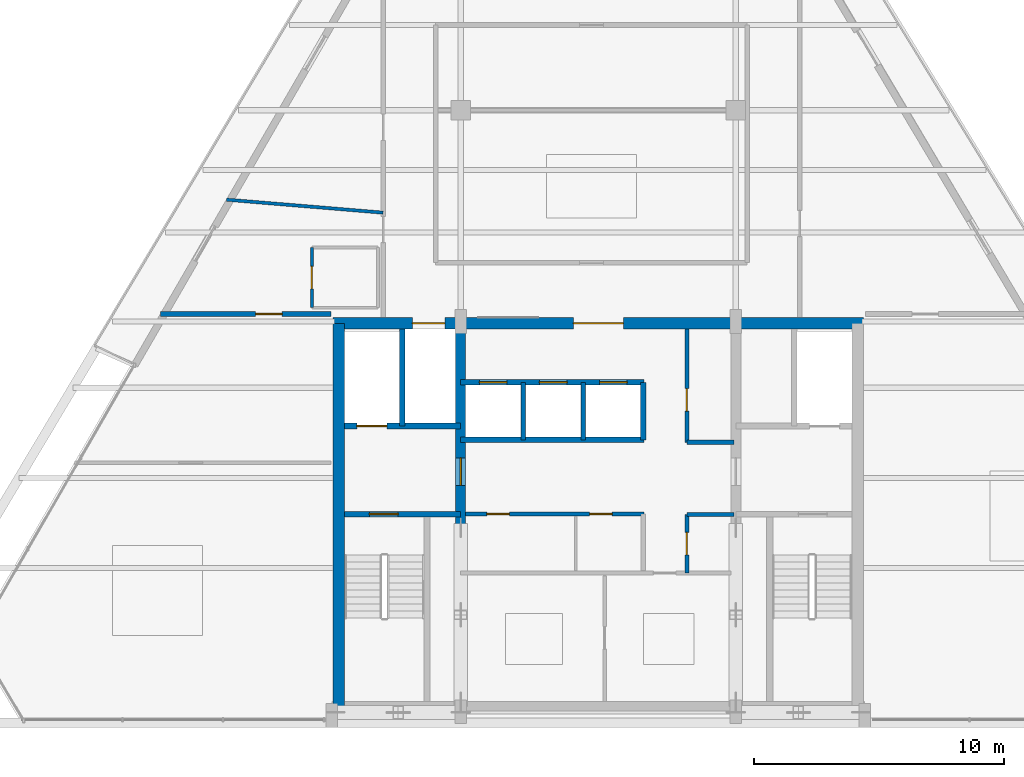
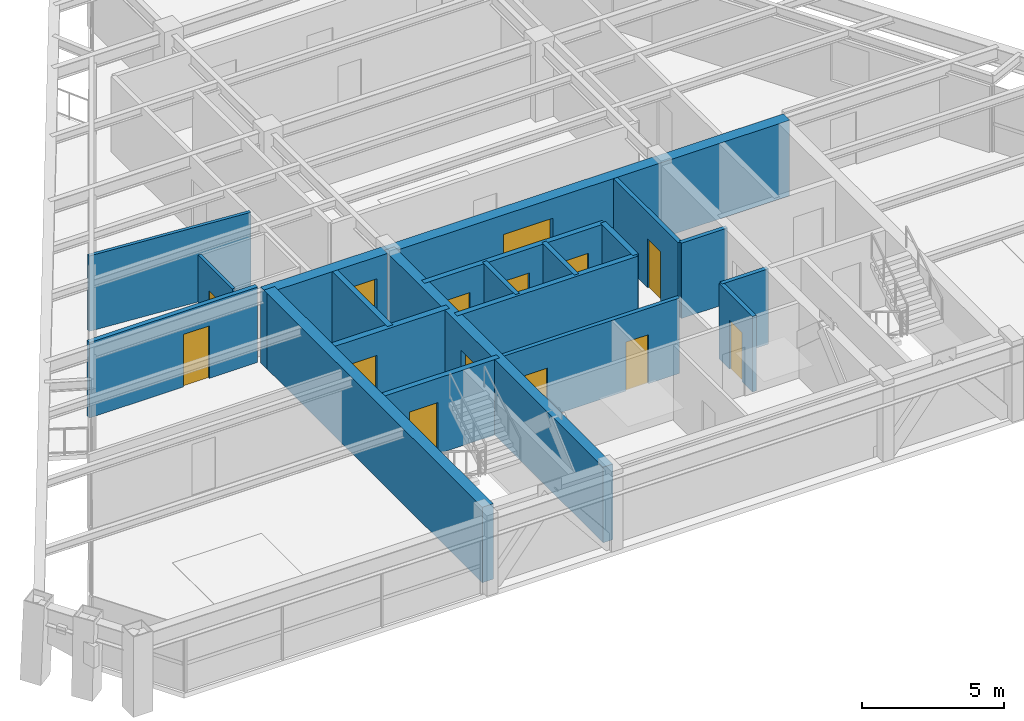
# One storey, part 9 of 13: 19 walls, 14 doors, 14 openings.
"""IFC4 building model written with IfcOpenShell, lengths in metres."""

import ifcopenshell
import ifcopenshell.guid

model = None  # the IFC model being written
_history = None  # IfcOwnerHistory: only IFC2X3 demands one
_inside = {}  # id of a spatial element -> (the spatial element, [elements in it])
_under = {}  # id of a project, library or spatial element -> (it, [spatial elements below it])
_declared = {}  # id of a project -> (the project, [libraries it declares])
_typed = {}  # id of a type object -> (the type object, [elements of that type])
_made_of = {}  # id of a material, layer set ... -> (it, [elements and type objects made of it])


def new_model(schema):
    """Start an empty IFC model of exactly this schema.

    Asked for "IFC4X3", IfcOpenShell would pick the latest addendum, in which some entities
    have other attributes; the version numbers below select the first issue.
    IFC2X3 requires an IfcOwnerHistory on every rooted entity: one is made here for all.
    """
    global model, _history
    if schema == "IFC4X3":
        model = ifcopenshell.file(schema_version=(4, 3, 0, 0))
    else:
        model = ifcopenshell.file(schema=schema)
    _inside.clear()
    _under.clear()
    _declared.clear()
    _typed.clear()
    _made_of.clear()
    _history = None
    if model.schema == "IFC2X3":
        org = make("IfcOrganization", Name="unknown")
        user = make(
            "IfcPersonAndOrganization",
            ThePerson=make("IfcPerson", FamilyName="unknown"),
            TheOrganization=org,
        )
        app = make(
            "IfcApplication",
            ApplicationDeveloper=org,
            Version="unknown",
            ApplicationFullName="unknown",
            ApplicationIdentifier="unknown",
        )
        _history = make(
            "IfcOwnerHistory",
            OwningUser=user,
            OwningApplication=app,
            ChangeAction="ADDED",
            CreationDate=0,
        )
    return model


def make(cls, **values):
    """One entity of the class cls with the attributes given. An attribute that is None is left unset."""
    return model.create_entity(
        cls, **{name: value for name, value in values.items() if value is not None}
    )


def rooted(cls, **values):
    """An entity with a GlobalId (a new one), such as an element, a storey or a relation."""
    return make(cls, GlobalId=ifcopenshell.guid.new(), OwnerHistory=_history, **values)


def si_unit(unit_type, name, prefix=None):
    """IfcSIUnit, for example si_unit("LENGTHUNIT", "METRE", prefix="MILLI")."""
    return make("IfcSIUnit", UnitType=unit_type, Prefix=prefix, Name=name)


def assignment(units):
    """IfcUnitAssignment: the units of a project."""
    return None if units is None else make("IfcUnitAssignment", Units=units)


def point(xyz):
    """IfcCartesianPoint."""
    return None if xyz is None else make("IfcCartesianPoint", Coordinates=xyz)


def direction(xyz):
    """IfcDirection."""
    return None if xyz is None else make("IfcDirection", DirectionRatios=xyz)


def frame(location, z_axis=None, x_axis=None):
    """IfcAxis2Placement3D, a coordinate frame: its origin and axes. An axis left out is left unset."""
    return make(
        "IfcAxis2Placement3D",
        Location=point(location),
        Axis=direction(z_axis),
        RefDirection=direction(x_axis),
    )


def frame_2d(location, x_axis=None):
    """IfcAxis2Placement2D, a coordinate frame in the plane: its origin and x axis."""
    return make(
        "IfcAxis2Placement2D", Location=point(location), RefDirection=direction(x_axis)
    )


def origin():
    """The frame at (0, 0, 0) with its axes left unset."""
    return frame((0.0, 0.0, 0.0))


def place(relative_to, where):
    """IfcLocalPlacement: puts the frame where relative to a parent placement (None: the world)."""
    return make(
        "IfcLocalPlacement", PlacementRelTo=relative_to, RelativePlacement=where
    )


def context(
    kind, dimensions, precision=None, world=None, true_north=None, identifier=None
):
    """IfcGeometricRepresentationContext, for example the 3D "Model" context."""
    return make(
        "IfcGeometricRepresentationContext",
        ContextIdentifier=identifier,
        ContextType=kind,
        CoordinateSpaceDimension=dimensions,
        Precision=precision,
        WorldCoordinateSystem=world,
        TrueNorth=true_north,
    )


def subcontext(parent, identifier, kind, view, scale=None):
    """IfcGeometricRepresentationSubContext, for example "Body" below "Model"."""
    return make(
        "IfcGeometricRepresentationSubContext",
        ContextIdentifier=identifier,
        ContextType=kind,
        ParentContext=parent,
        TargetScale=scale,
        TargetView=view,
    )


def project(units=None, contexts=None):
    """IfcProject with its units and contexts."""
    return rooted(
        "IfcProject",
        Name="project",
        RepresentationContexts=contexts,
        UnitsInContext=assignment(units),
    )


def spatial(cls, under=None, at=None, **own):
    """A site, building, storey or space (cls), placed at a placement, below another one or the project."""
    s = rooted(cls, ObjectPlacement=at, **own)
    if under is not None:
        _under.setdefault(under.id(), (under, []))[1].append(s)
    return s


def profile(cls, at=None, kind="AREA", **sizes):
    """A parametric profile (cls). Its sizes go by their IFC names, for example OverallWidth=200.0."""
    return make(cls, ProfileType=kind, Position=at, **sizes)


def rectangle(**sizes):
    """IfcRectangleProfileDef."""
    return profile("IfcRectangleProfileDef", **sizes)


def extrude(swept, where, along, depth):
    """IfcExtrudedAreaSolid: the profile swept, set in the frame where, extruded along a direction by depth."""
    return make(
        "IfcExtrudedAreaSolid",
        SweptArea=swept,
        Position=where,
        ExtrudedDirection=direction(along),
        Depth=depth,
    )


def shape(context_of_items, identifier, shape_type, items):
    """IfcShapeRepresentation: the items that make up one representation, for example the "Body"."""
    return make(
        "IfcShapeRepresentation",
        ContextOfItems=context_of_items,
        RepresentationIdentifier=identifier,
        RepresentationType=shape_type,
        Items=items,
    )


def source(mapping_origin, context_of_items, identifier, shape_type, items):
    """IfcRepresentationMap: a shape defined once, which mapped items show again and again."""
    return make(
        "IfcRepresentationMap",
        MappingOrigin=mapping_origin,
        MappedRepresentation=shape(context_of_items, identifier, shape_type, items),
    )


def transform(
    local_origin,
    x_axis=None,
    y_axis=None,
    z_axis=None,
    scale=None,
    scale2=None,
    scale3=None,
    uniform=True,
):
    """IfcCartesianTransformationOperator3D, or its non-uniform kind. x_axis, y_axis, z_axis: its Axis1, 2, 3."""
    if uniform:
        return make(
            "IfcCartesianTransformationOperator3D",
            Axis1=direction(x_axis),
            Axis2=direction(y_axis),
            LocalOrigin=point(local_origin),
            Scale=scale,
            Axis3=direction(z_axis),
        )
    return make(
        "IfcCartesianTransformationOperator3DnonUniform",
        Axis1=direction(x_axis),
        Axis2=direction(y_axis),
        LocalOrigin=point(local_origin),
        Scale=scale,
        Axis3=direction(z_axis),
        Scale2=scale2,
        Scale3=scale3,
    )


def mapped(mapping_source, mapping_target):
    """IfcMappedItem: shows the shape of a source again, moved by a transform."""
    return make(
        "IfcMappedItem", MappingSource=mapping_source, MappingTarget=mapping_target
    )


def material(Name=None, Category=None):
    """IfcMaterial."""
    return make("IfcMaterial", Name=Name, Category=Category)


def layer(
    of_material, thickness, ventilated=None, Name=None, Category=None, Priority=None
):
    """IfcMaterialLayer: one layer of a wall or slab, of a material (None: an air gap)."""
    return make(
        "IfcMaterialLayer",
        Material=of_material,
        LayerThickness=thickness,
        IsVentilated=ventilated,
        Name=Name,
        Category=Category,
        Priority=Priority,
    )


def layer_set(layers, Name=None):
    """IfcMaterialLayerSet."""
    return make("IfcMaterialLayerSet", MaterialLayers=layers, LayerSetName=Name)


def made_of(thing, what):
    """Note that an element or type object is made of a material, layer set ...; save() writes the relation."""
    if what is not None:
        _made_of.setdefault(what.id(), (what, []))[1].append(thing)
    return thing


def type_object(cls, material=None, **own):
    """A type object (cls), such as IfcWallType, which elements share."""
    return made_of(rooted(cls, **own), material)


def type_shapes(of_type, sources):
    """Give a type object the sources (RepresentationMaps) that its elements show as mapped items."""
    of_type.RepresentationMaps = sources


def element(
    cls,
    number,
    at=None,
    inside=None,
    cuts=None,
    type_object=None,
    material=None,
    context=None,
    identifier="Body",
    shape_type=None,
    held_by="IfcProductDefinitionShape",
    body=None,
    shapes=None,
    **own,
):
    """One element of the class cls, such as IfcWall. Its Tag is "e" and its number.

    at: its placement. inside: the storey or other place that contains it. cuts: it is an
    opening in that element (IfcRelVoidsElement). A single representation is given by context,
    identifier, shape_type and body (its items); several are given by shapes. held_by: the class
    of the entity that holds the representations. save() writes the other relations.
    """
    e = rooted(cls, Tag="e%d" % number, ObjectPlacement=at, **own)
    if body is not None:
        shapes = [shape(context, identifier, shape_type, body)]
    if shapes is not None:
        e.Representation = make(held_by, Representations=shapes)
    if inside is not None:
        _inside.setdefault(inside.id(), (inside, []))[1].append(e)
    if cuts is not None:
        rooted(
            "IfcRelVoidsElement", RelatingBuildingElement=cuts, RelatedOpeningElement=e
        )
    if type_object is not None:
        _typed.setdefault(type_object.id(), (type_object, []))[1].append(e)
    return made_of(e, material)


def fill(opening, filler):
    """IfcRelFillsElement: the door or window that sits in an opening."""
    return rooted(
        "IfcRelFillsElement",
        RelatingOpeningElement=opening,
        RelatedBuildingElement=filler,
    )


def aggregate(whole, parts):
    """IfcRelAggregates: a whole, such as a stair, and the parts it consists of."""
    return rooted("IfcRelAggregates", RelatingObject=whole, RelatedObjects=parts)


def save(model, path):
    """Write the relations noted so far, then the file.

    IfcRelAggregates (storeys below a building ...), IfcRelContainedInSpatialStructure (elements
    in a storey), IfcRelDefinesByType, IfcRelAssociatesMaterial and IfcRelDeclares: one each for
    every whole, place, type object, material and project.
    """
    for whole, parts in _under.values():
        aggregate(whole, parts)
    for where, things in _inside.values():
        rooted(
            "IfcRelContainedInSpatialStructure",
            RelatedElements=things,
            RelatingStructure=where,
        )
    for kind, things in _typed.values():
        rooted("IfcRelDefinesByType", RelatedObjects=things, RelatingType=kind)
    for what, things in _made_of.values():
        rooted("IfcRelAssociatesMaterial", RelatedObjects=things, RelatingMaterial=what)
    for by, libraries in _declared.values():
        rooted("IfcRelDeclares", RelatingContext=by, RelatedDefinitions=libraries)
    model.write(path)


model = new_model("IFC4")

# Units and contexts
model_context = context("Model", 3, precision=1e-05, world=origin(), true_north=direction((0.0, 1.0)))
body_context = subcontext(model_context, "Body", "Model", "MODEL_VIEW")
ifc_project = project(units=[si_unit("LENGTHUNIT", "METRE"), si_unit("AREAUNIT", "SQUARE_METRE"), si_unit("VOLUMEUNIT", "CUBIC_METRE"), si_unit("PLANEANGLEUNIT", "RADIAN"), si_unit("MASSUNIT", "GRAM", prefix="KILO")], contexts=[model_context])

# Site, building, storey
site_placement = place(None, origin())
site = spatial("IfcSite", under=ifc_project, at=site_placement, CompositionType="ELEMENT")
building_placement = place(site_placement, origin())
building = spatial("IfcBuilding", under=site, at=building_placement, Name="Varnakhor Terracotta Tower", CompositionType="ELEMENT")
storey_placement = place(building_placement, frame((0.0, 0.0, 273.0)))
storey = spatial("IfcBuildingStorey", under=building, at=storey_placement, Name="L71", CompositionType="ELEMENT", Elevation=273.0)

# Wall, opening, door
ifc_material_1 = material(Name="Moisture-Resistant Tile-Backed Partition", Category="gypsum")
ifc_layer_1 = layer(ifc_material_1, 0.114990234375, Name="Moisture-Resistant Tile-Backed Partition")
ifc_layer_set_1 = layer_set([ifc_layer_1], Name="Moisture-Resistant Tile-Backed Partition")
wall_type_1 = type_object("IfcWallType", Name="WAL-BATH-115", PredefinedType="PARTITIONING", material=ifc_layer_set_1)
wall_1_placement = place(storey_placement, frame((-11.449951171875, 16.60009765625, 0.0), z_axis=(0.0, 0.0, 1.0), x_axis=(0.0, 1.0, 0.0)))
wall_1 = element("IfcWall", 1, at=wall_1_placement, inside=storey, type_object=wall_type_1, Name="L71 En-Suite 1 Wall W", PredefinedType="PARTITIONING", context=body_context, shape_type="SweptSolid", body=[
    extrude(rectangle(XDim=2.39990234375, YDim=0.114990234375, at=frame_2d((1.199951171875, 0.0))), origin(), (0.0, 0.0, 1.0), 3.23193359375),
])
opening_1_placement = place(wall_1_placement, frame((0.75, 0.0, 0.0)))
opening_1 = element("IfcOpeningElement", 2, at=opening_1_placement, cuts=wall_1, Name="Opening DR-93", PredefinedType="OPENING", context=body_context, shape_type="SweptSolid", body=[
    extrude(rectangle(XDim=0.89990234375, YDim=2.14990234375, at=frame_2d((0.449951171875, 1.074951171875))), frame((0.0, 0.0673828125, 0.0), z_axis=(0.0, -1.0, 0.0), x_axis=(1.0, 0.0, 0.0)), (0.0, 0.0, 1.0), 0.135009765625),
])
ifc_material_2 = material(Name="Moisture-Resistant Accessible Bathroom Door", Category="wood")
door_type_1 = type_object("IfcDoorType", Name="DR-BATH-900X2150", OperationType="NOTDEFINED", PredefinedType="DOOR", material=ifc_material_2)
shared_shape_1 = source(origin(), body_context, "Body", "SweptSolid", [
    extrude(rectangle(XDim=0.89990234375, YDim=2.14990234375, at=frame_2d((0.449951171875, 1.074951171875))), frame((0.0, 0.02490234375, 0.0), z_axis=(0.0, -1.0, 0.0), x_axis=(1.0, 0.0, 0.0)), (0.0, 0.0, 1.0), 0.050048828125),
])
type_shapes(door_type_1, [shared_shape_1])
door_1_placement = place(opening_1_placement, origin())
door_1 = element("IfcDoor", 3, at=door_1_placement, inside=storey, type_object=door_type_1, Name="L71 En-Suite Bathroom 1 Door", OperationType="SINGLE_SWING_RIGHT", OverallHeight=2.14990234375, OverallWidth=0.89990234375, PredefinedType="DOOR", context=body_context, shape_type="MappedRepresentation", body=[
    mapped(shared_shape_1, transform((0.0, 0.0, 0.0), scale=1.0)),
])
fill(opening_1, door_1)

# Wall, openings, doors
ifc_material_3 = material(Name="Concrete C50/60", Category="concrete")
ifc_layer_2 = layer(ifc_material_3, 0.449951171875, Name="Concrete C50/60")
ifc_layer_set_2 = layer_set([ifc_layer_2], Name="Concrete C50/60")
wall_type_2 = type_object("IfcWallType", Name="WAL-CORE-450", PredefinedType="SHEAR", material=ifc_layer_set_2)
wall_2_placement = place(storey_placement, frame((-10.60009765625, 15.97509765625, 0.0), z_axis=(0.0, 0.0, 1.0), x_axis=(1.0, 0.0, 0.0)))
wall_2 = element("IfcWall", 4, at=wall_2_placement, inside=storey, type_object=wall_type_2, Name="L71 North Core Shear Wall", PredefinedType="SHEAR", context=body_context, shape_type="SweptSolid", body=[
    extrude(rectangle(XDim=21.2001953125, YDim=0.449951171875, at=frame_2d((10.60009765625, 0.0))), origin(), (0.0, 0.0, 1.0), 3.239990234375),
])
opening_2_placement = place(wall_2_placement, frame((3.169921875, 0.0, 0.0)))
opening_2 = element("IfcOpeningElement", 5, at=opening_2_placement, cuts=wall_2, Name="Opening LD-03", PredefinedType="OPENING", context=body_context, shape_type="SweptSolid", body=[
    extrude(rectangle(XDim=1.300048828125, YDim=2.300048828125, at=frame_2d((0.64990234375, 1.14990234375))), frame((0.0, 0.23486328125, 0.0), z_axis=(0.0, -1.0, 0.0), x_axis=(1.0, 0.0, 0.0)), (0.0, 0.0, 1.0), 0.469970703125),
])
opening_3_placement = place(wall_2_placement, frame((9.60009765625, 0.0, 0.0)))
opening_3 = element("IfcOpeningElement", 6, at=opening_3_placement, cuts=wall_2, Name="Opening DR-32", PredefinedType="OPENING", context=body_context, shape_type="SweptSolid", body=[
    extrude(rectangle(XDim=2.0, YDim=2.39990234375, at=frame_2d((1.0, 1.199951171875))), frame((0.0, 0.23486328125, 0.0), z_axis=(0.0, -1.0, 0.0), x_axis=(1.0, 0.0, 0.0)), (0.0, 0.0, 1.0), 0.469970703125),
])
ifc_material_4 = material(Name="Heavy-Duty Goods Sliding Lift Landing Door", Category="steel")
door_type_2 = type_object("IfcDoorType", Name="LD-SRV-1300X2300", OperationType="NOTDEFINED", PredefinedType="DOOR", material=ifc_material_4)
shared_shape_2 = source(origin(), body_context, "Body", "SweptSolid", [
    extrude(rectangle(XDim=1.300048828125, YDim=2.300048828125, at=frame_2d((0.64990234375, 1.14990234375))), frame((0.0, 0.02490234375, 0.0), z_axis=(0.0, -1.0, 0.0), x_axis=(1.0, 0.0, 0.0)), (0.0, 0.0, 1.0), 0.050048828125),
])
type_shapes(door_type_2, [shared_shape_2])
door_2_placement = place(opening_2_placement, origin())
door_2 = element("IfcDoor", 7, at=door_2_placement, inside=storey, type_object=door_type_2, Name="L71 Service Lift SVL-1 Landing Door", OperationType="SLIDING_TO_RIGHT", OverallHeight=2.300048828125, OverallWidth=1.300048828125, PredefinedType="DOOR", context=body_context, shape_type="MappedRepresentation", body=[
    mapped(shared_shape_2, transform((0.0, 0.0, 0.0), scale=1.0)),
])
fill(opening_2, door_2)
ifc_material_5 = material(Name="Acoustic Double Assembly Fire Door", Category="wood")
door_type_3 = type_object("IfcDoorType", Name="DR-HALL-2000X2400", OperationType="NOTDEFINED", PredefinedType="DOOR", material=ifc_material_5)
shared_shape_3 = source(origin(), body_context, "Body", "SweptSolid", [
    extrude(rectangle(XDim=2.0, YDim=2.39990234375, at=frame_2d((1.0, 1.199951171875))), frame((0.0, 0.02490234375, 0.0), z_axis=(0.0, -1.0, 0.0), x_axis=(1.0, 0.0, 0.0)), (0.0, 0.0, 1.0), 0.050048828125),
])
type_shapes(door_type_3, [shared_shape_3])
door_3_placement = place(opening_3_placement, origin())
door_3 = element("IfcDoor", 8, at=door_3_placement, inside=storey, type_object=door_type_3, Name="L71 Core Main Lobby Double Door", OperationType="DOUBLE_DOOR_SINGLE_SWING", OverallHeight=2.39990234375, OverallWidth=2.0, PredefinedType="DOOR", context=body_context, shape_type="MappedRepresentation", body=[
    mapped(shared_shape_3, transform((0.0, 0.0, 0.0), scale=1.0)),
])
fill(opening_3, door_3)

# Wall
wall_3_placement = place(storey_placement, frame((-10.375, 0.625, 0.0), z_axis=(0.0, 0.0, 1.0), x_axis=(0.0, 1.0, 0.0)))
element("IfcWall", 9, at=wall_3_placement, inside=storey, type_object=wall_type_2, Name="L71 West Core Shear Wall", PredefinedType="SHEAR", context=body_context, shape_type="SweptSolid", body=[
    extrude(rectangle(XDim=15.35009765625, YDim=0.449951171875, at=frame_2d((7.675048828125, 0.0))), origin(), (0.0, 0.0, 1.0), 3.239990234375),
])

# Wall, opening, door
ifc_layer_3 = layer(ifc_material_3, 0.39990234375, Name="Concrete C50/60")
ifc_layer_set_3 = layer_set([ifc_layer_3], Name="Concrete C50/60")
wall_type_3 = type_object("IfcWallType", Name="WAL-CORE-WEB-400", PredefinedType="SHEAR", material=ifc_layer_set_3)
wall_4_placement = place(storey_placement, frame((-5.5, 0.625, 0.0), z_axis=(0.0, 0.0, 1.0), x_axis=(0.0, 1.0, 0.0)))
wall_4 = element("IfcWall", 10, at=wall_4_placement, inside=storey, type_object=wall_type_3, Name="L71 West Core Web Shear Wall", PredefinedType="SHEAR", context=body_context, shape_type="SweptSolid", body=[
    extrude(rectangle(XDim=15.35009765625, YDim=0.39990234375, at=frame_2d((7.675048828125, 0.0))), origin(), (0.0, 0.0, 1.0), 3.239990234375),
])
opening_4_placement = place(wall_4_placement, frame((8.875, 0.0, 0.0)))
opening_4 = element("IfcOpeningElement", 11, at=opening_4_placement, cuts=wall_4, Name="Opening DR-25", PredefinedType="OPENING", context=body_context, shape_type="SweptSolid", body=[
    extrude(rectangle(XDim=1.10009765625, YDim=2.199951171875, at=frame_2d((0.550048828125, 1.10009765625))), frame((0.0, 0.2099609375, 0.0), z_axis=(0.0, -1.0, 0.0), x_axis=(1.0, 0.0, 0.0)), (0.0, 0.0, 1.0), 0.419921875),
])
ifc_material_6 = material(Name="Firefighting Lobby Self-Closing Fire Door", Category="steel")
door_type_4 = type_object("IfcDoorType", Name="DR-FFL-1100X2200", OperationType="NOTDEFINED", PredefinedType="DOOR", material=ifc_material_6)
shared_shape_4 = source(origin(), body_context, "Body", "SweptSolid", [
    extrude(rectangle(XDim=1.10009765625, YDim=2.199951171875, at=frame_2d((0.550048828125, 1.10009765625))), frame((0.0, 0.02490234375, 0.0), z_axis=(0.0, -1.0, 0.0), x_axis=(1.0, 0.0, 0.0)), (0.0, 0.0, 1.0), 0.050048828125),
])
type_shapes(door_type_4, [shared_shape_4])
door_4_placement = place(opening_4_placement, origin())
door_4 = element("IfcDoor", 12, at=door_4_placement, inside=storey, type_object=door_type_4, Name="L71 West Firefighting Lobby Door", OperationType="SINGLE_SWING_LEFT", OverallHeight=2.199951171875, OverallWidth=1.10009765625, PredefinedType="DOOR", context=body_context, shape_type="MappedRepresentation", body=[
    mapped(shared_shape_4, transform((0.0, 0.0, 0.0), scale=1.0)),
])
fill(opening_4, door_4)

ifc_material_7 = material(Name="Fire-Rated Gypsum Stud Partition", Category="gypsum")
ifc_layer_4 = layer(ifc_material_7, 0.18505859375, Name="Fire-Rated Gypsum Stud Partition")
ifc_layer_set_4 = layer_set([ifc_layer_4], Name="Fire-Rated Gypsum Stud Partition")
wall_type_4 = type_object("IfcWallType", Name="WAL-CORR-185", PredefinedType="PARTITIONING", material=ifc_layer_set_4)
wall_5_placement = place(storey_placement, frame((-17.49755859375, 16.35009765625, 0.0), z_axis=(0.0, 0.0, 1.0), x_axis=(1.0, 0.0, 0.0)))
wall_5 = element("IfcWall", 13, at=wall_5_placement, inside=storey, type_object=wall_type_4, Name="L71 South West Guest Entry Wall", PredefinedType="PARTITIONING", context=body_context, shape_type="SweptSolid", body=[
    extrude(rectangle(XDim=6.817626953125, YDim=0.18505859375, at=frame_2d((3.40869140625, 0.0))), origin(), (0.0, 0.0, 1.0), 3.23193359375),
])
opening_5_placement = place(wall_5_placement, frame((3.804443359375, 0.0, 0.0)))
opening_5 = element("IfcOpeningElement", 14, at=opening_5_placement, cuts=wall_5, Name="Opening DR-95", PredefinedType="OPENING", context=body_context, shape_type="SweptSolid", body=[
    extrude(rectangle(XDim=1.050048828125, YDim=2.25, at=frame_2d((0.52490234375, 1.125))), frame((0.0, 0.1025390625, 0.0), z_axis=(0.0, -1.0, 0.0), x_axis=(1.0, 0.0, 0.0)), (0.0, 0.0, 1.0), 0.205078125),
])
ifc_material_8 = material(Name="Solid-Core Timber Tenant/Hotel Entrance Door", Category="wood")
door_type_5 = type_object("IfcDoorType", Name="DR-SUITE-1050X2250", OperationType="NOTDEFINED", PredefinedType="DOOR", material=ifc_material_8)
shared_shape_5 = source(origin(), body_context, "Body", "SweptSolid", [
    extrude(rectangle(XDim=1.050048828125, YDim=2.25, at=frame_2d((0.52490234375, 1.125))), frame((0.0, 0.02490234375, 0.0), z_axis=(0.0, -1.0, 0.0), x_axis=(1.0, 0.0, 0.0)), (0.0, 0.0, 1.0), 0.050048828125),
])
type_shapes(door_type_5, [shared_shape_5])
door_5_placement = place(opening_5_placement, origin())
door_5 = element("IfcDoor", 15, at=door_5_placement, inside=storey, type_object=door_type_5, Name="L71 SW Suite Entry Door", OperationType="SINGLE_SWING_RIGHT", OverallHeight=2.25, OverallWidth=1.050048828125, PredefinedType="DOOR", context=body_context, shape_type="MappedRepresentation", body=[
    mapped(shared_shape_5, transform((0.0, 0.0, 0.0), scale=1.0)),
])
fill(opening_5, door_5)

ifc_material_9 = material(Name="Concrete C40/50", Category="concrete")
ifc_layer_5 = layer(ifc_material_9, 0.219970703125, Name="Concrete C40/50")
ifc_layer_set_5 = layer_set([ifc_layer_5], Name="Concrete C40/50")
wall_type_5 = type_object("IfcWallType", Name="WAL-FFLOBBY-220", PredefinedType="SOLIDWALL", material=ifc_layer_set_5)
wall_6_placement = place(storey_placement, frame((-5.5, 8.35009765625, 0.0), z_axis=(0.0, 0.0, 1.0), x_axis=(-1.0, 0.0, 0.0)))
wall_6 = element("IfcWall", 16, at=wall_6_placement, inside=storey, type_object=wall_type_5, Name="L71 West Firefighting Lobby Stair Wall", PredefinedType="SOLIDWALL", context=body_context, shape_type="SweptSolid", body=[
    extrude(rectangle(XDim=4.64990234375, YDim=0.219970703125, at=frame_2d((2.324951171875, 0.0))), origin(), (0.0, 0.0, 1.0), 3.239990234375),
])
opening_6_placement = place(wall_6_placement, frame((2.5, 0.0, 0.0)))
opening_6 = element("IfcOpeningElement", 17, at=opening_6_placement, cuts=wall_6, Name="Opening DR-34", PredefinedType="OPENING", context=body_context, shape_type="SweptSolid", body=[
    extrude(rectangle(XDim=1.14990234375, YDim=2.199951171875, at=frame_2d((0.574951171875, 1.10009765625))), frame((0.0, 0.1201171875, 0.0), z_axis=(0.0, -1.0, 0.0), x_axis=(1.0, 0.0, 0.0)), (0.0, 0.0, 1.0), 0.239990234375),
])
ifc_material_10 = material(Name="Self-Closing Smoke-Sealed Steel Fire Door", Category="steel")
door_type_6 = type_object("IfcDoorType", Name="DR-STAIR-1150X2200", OperationType="NOTDEFINED", PredefinedType="DOOR", material=ifc_material_10)
shared_shape_6 = source(origin(), body_context, "Body", "SweptSolid", [
    extrude(rectangle(XDim=1.14990234375, YDim=2.199951171875, at=frame_2d((0.574951171875, 1.10009765625))), frame((0.0, 0.02490234375, 0.0), z_axis=(0.0, -1.0, 0.0), x_axis=(1.0, 0.0, 0.0)), (0.0, 0.0, 1.0), 0.050048828125),
])
type_shapes(door_type_6, [shared_shape_6])
door_6_placement = place(opening_6_placement, origin())
door_6 = element("IfcDoor", 18, at=door_6_placement, inside=storey, type_object=door_type_6, Name="L71 Exit Stair ST-1 Fire Door", OperationType="SINGLE_SWING_RIGHT", OverallHeight=2.199951171875, OverallWidth=1.14990234375, PredefinedType="DOOR", context=body_context, shape_type="MappedRepresentation", body=[
    mapped(shared_shape_6, transform((0.0, 0.0, 0.0), scale=1.0)),
])
fill(opening_6, door_6)

# Walls
ifc_material_11 = material(Name="Acoustic Hotel Room Partition", Category="gypsum")
ifc_layer_6 = layer(ifc_material_11, 0.1298828125, Name="Acoustic Hotel Room Partition")
ifc_layer_set_6 = layer_set([ifc_layer_6], Name="Acoustic Hotel Room Partition")
wall_type_6 = type_object("IfcWallType", Name="WAL-PART-130", PredefinedType="PARTITIONING", material=ifc_layer_set_6)
wall_7_placement = place(storey_placement, frame((-14.85546875, 20.9189453125, 0.0), z_axis=(0.0, 0.0, 1.0), x_axis=(0.996575202115, -0.082691393322, 0.0)))
element("IfcWall", 19, at=wall_7_placement, inside=storey, type_object=wall_type_6, Name="L71 West Key Cut 1", PredefinedType="PARTITIONING", context=body_context, shape_type="SweptSolid", body=[
    extrude(rectangle(XDim=6.27685546875, YDim=0.1298828125, at=frame_2d((3.138427734375, 0.0))), origin(), (0.0, 0.0, 1.0), 3.23193359375),
])
ifc_layer_7 = layer(ifc_material_9, 0.179931640625, Name="Concrete C40/50")
ifc_layer_set_7 = layer_set([ifc_layer_7], Name="Concrete C40/50")
wall_type_7 = type_object("IfcWallType", Name="WAL-SHAFT-180", PredefinedType="SOLIDWALL", material=ifc_layer_set_7)
for number, where, z_axis, x_axis, name in (
    (20, (-3.0, 11.320068359375, 0.0), (0.0, 0.0, 1.0), (0.0, 1.0, 0.0), "L71 PL-3A Divider"),
    (21, (-0.60009765625, 11.320068359375, 0.0), (0.0, 0.0, 1.0), (0.0, 1.0, 0.0), "L71 PL-3B Divider"),
):
    element("IfcWall", number, at=place(storey_placement, frame(where, z_axis=z_axis, x_axis=x_axis)), inside=storey, type_object=wall_type_7, Name=name, PredefinedType="SOLIDWALL", context=body_context, shape_type="SweptSolid", body=[
        extrude(rectangle(XDim=2.300048828125, YDim=0.179931640625, at=frame_2d((1.14990234375, 0.0))), origin(), (0.0, 0.0, 1.0), 3.239990234375),
    ])
ifc_layer_8 = layer(ifc_material_9, 0.219970703125, Name="Concrete C40/50")
ifc_layer_set_8 = layer_set([ifc_layer_8], Name="Concrete C40/50")
wall_type_8 = type_object("IfcWallType", Name="WAL-SHAFT-220", PredefinedType="SOLIDWALL", material=ifc_layer_set_8)
wall_8_placement = place(storey_placement, frame((-7.840087890625, 11.8701171875, 0.0), z_axis=(0.0, 0.0, 1.0), x_axis=(0.0, 1.0, 0.0)))
element("IfcWall", 22, at=wall_8_placement, inside=storey, type_object=wall_type_8, Name="L71 Lift FFL-1 and SVL-1 Divider Wall", PredefinedType="SOLIDWALL", context=body_context, shape_type="SweptSolid", body=[
    extrude(rectangle(XDim=3.8798828125, YDim=0.219970703125, at=frame_2d((1.93994140625, 0.0))), origin(), (0.0, 0.0, 1.0), 3.239990234375),
])
wall_9_placement = place(storey_placement, frame((-5.5, 11.320068359375, 0.0), z_axis=(0.0, 0.0, 1.0), x_axis=(1.0, 0.0, 0.0)))
element("IfcWall", 23, at=wall_9_placement, inside=storey, type_object=wall_type_8, Name="L71 Bank 3 South Shaft Wall", PredefinedType="SOLIDWALL", context=body_context, shape_type="SweptSolid", body=[
    extrude(rectangle(XDim=7.320068359375, YDim=0.219970703125, at=frame_2d((3.66015625, 0.0))), origin(), (0.0, 0.0, 1.0), 3.239990234375),
])

# Wall, openings, doors
wall_10_placement = place(storey_placement, frame((-5.5, 13.6201171875, 0.0), z_axis=(0.0, 0.0, 1.0), x_axis=(1.0, 0.0, 0.0)))
wall_10 = element("IfcWall", 24, at=wall_10_placement, inside=storey, type_object=wall_type_8, Name="L71 Bank 3 North Shaft Wall", PredefinedType="SOLIDWALL", context=body_context, shape_type="SweptSolid", body=[
    extrude(rectangle(XDim=7.320068359375, YDim=0.219970703125, at=frame_2d((3.66015625, 0.0))), origin(), (0.0, 0.0, 1.0), 3.239990234375),
])
opening_7_placement = place(wall_10_placement, frame((0.75, 0.0, 0.0)))
opening_7 = element("IfcOpeningElement", 25, at=opening_7_placement, cuts=wall_10, Name="Opening LD-01", PredefinedType="OPENING", context=body_context, shape_type="SweptSolid", body=[
    extrude(rectangle(XDim=1.10009765625, YDim=2.199951171875, at=frame_2d((0.550048828125, 1.10009765625))), frame((0.0, 0.1201171875, 0.0), z_axis=(0.0, -1.0, 0.0), x_axis=(1.0, 0.0, 0.0)), (0.0, 0.0, 1.0), 0.239990234375),
])
opening_8_placement = place(wall_10_placement, frame((3.14990234375, 0.0, 0.0)))
opening_8 = element("IfcOpeningElement", 26, at=opening_8_placement, cuts=wall_10, Name="Opening LD-01", PredefinedType="OPENING", context=body_context, shape_type="SweptSolid", body=[
    extrude(rectangle(XDim=1.10009765625, YDim=2.199951171875, at=frame_2d((0.550048828125, 1.10009765625))), frame((0.0, 0.1201171875, 0.0), z_axis=(0.0, -1.0, 0.0), x_axis=(1.0, 0.0, 0.0)), (0.0, 0.0, 1.0), 0.239990234375),
])
opening_9_placement = place(wall_10_placement, frame((5.550048828125, 0.0, 0.0)))
opening_9 = element("IfcOpeningElement", 27, at=opening_9_placement, cuts=wall_10, Name="Opening LD-01", PredefinedType="OPENING", context=body_context, shape_type="SweptSolid", body=[
    extrude(rectangle(XDim=1.10009765625, YDim=2.199951171875, at=frame_2d((0.550048828125, 1.10009765625))), frame((0.0, 0.1201171875, 0.0), z_axis=(0.0, -1.0, 0.0), x_axis=(1.0, 0.0, 0.0)), (0.0, 0.0, 1.0), 0.239990234375),
])
ifc_material_12 = material(Name="Brushed Stainless Steel Sliding Lift Landing Door", Category="steel")
door_type_7 = type_object("IfcDoorType", Name="LD-PASS-1100X2200", OperationType="NOTDEFINED", PredefinedType="DOOR", material=ifc_material_12)
shared_shape_7 = source(origin(), body_context, "Body", "SweptSolid", [
    extrude(rectangle(XDim=1.10009765625, YDim=2.199951171875, at=frame_2d((0.550048828125, 1.10009765625))), frame((0.0, 0.02490234375, 0.0), z_axis=(0.0, -1.0, 0.0), x_axis=(1.0, 0.0, 0.0)), (0.0, 0.0, 1.0), 0.050048828125),
])
type_shapes(door_type_7, [shared_shape_7])
door_7_placement = place(opening_7_placement, origin())
door_7 = element("IfcDoor", 28, at=door_7_placement, inside=storey, type_object=door_type_7, Name="L71 Passenger Lift PL-3A Landing Door", OperationType="SLIDING_TO_RIGHT", OverallHeight=2.199951171875, OverallWidth=1.10009765625, PredefinedType="DOOR", context=body_context, shape_type="MappedRepresentation", body=[
    mapped(shared_shape_7, transform((0.0, 0.0, 0.0), scale=1.0)),
])
fill(opening_7, door_7)
door_8_placement = place(opening_8_placement, origin())
door_8 = element("IfcDoor", 29, at=door_8_placement, inside=storey, type_object=door_type_7, Name="L71 Passenger Lift PL-3B Landing Door", OperationType="SLIDING_TO_RIGHT", OverallHeight=2.199951171875, OverallWidth=1.10009765625, PredefinedType="DOOR", context=body_context, shape_type="MappedRepresentation", body=[
    mapped(shared_shape_7, transform((0.0, 0.0, 0.0), scale=1.0)),
])
fill(opening_8, door_8)
door_9_placement = place(opening_9_placement, origin())
door_9 = element("IfcDoor", 30, at=door_9_placement, inside=storey, type_object=door_type_7, Name="L71 Passenger Lift PL-3C Landing Door", OperationType="SLIDING_TO_RIGHT", OverallHeight=2.199951171875, OverallWidth=1.10009765625, PredefinedType="DOOR", context=body_context, shape_type="MappedRepresentation", body=[
    mapped(shared_shape_7, transform((0.0, 0.0, 0.0), scale=1.0)),
])
fill(opening_9, door_9)

# Wall
wall_11_placement = place(storey_placement, frame((1.800048828125, 11.320068359375, 0.0), z_axis=(0.0, 0.0, 1.0), x_axis=(0.0, 1.0, 0.0)))
element("IfcWall", 31, at=wall_11_placement, inside=storey, type_object=wall_type_8, Name="L71 Bank 3 East Shaft Wall", PredefinedType="SOLIDWALL", context=body_context, shape_type="SweptSolid", body=[
    extrude(rectangle(XDim=2.300048828125, YDim=0.219970703125, at=frame_2d((1.14990234375, 0.0))), origin(), (0.0, 0.0, 1.0), 3.239990234375),
])

# Wall, opening, door
ifc_layer_9 = layer(ifc_material_9, 0.25, Name="Concrete C40/50")
ifc_layer_set_9 = layer_set([ifc_layer_9], Name="Concrete C40/50")
wall_type_9 = type_object("IfcWallType", Name="WAL-SHAFT-250", PredefinedType="SOLIDWALL", material=ifc_layer_set_9)
wall_12_placement = place(storey_placement, frame((-5.5, 11.8701171875, 0.0), z_axis=(0.0, 0.0, 1.0), x_axis=(-1.0, 0.0, 0.0)))
wall_12 = element("IfcWall", 32, at=wall_12_placement, inside=storey, type_object=wall_type_9, Name="L71 Lift FFL-1 Shaft Front Wall", PredefinedType="SOLIDWALL", context=body_context, shape_type="SweptSolid", body=[
    extrude(rectangle(XDim=4.64990234375, YDim=0.25, at=frame_2d((2.324951171875, 0.0))), origin(), (0.0, 0.0, 1.0), 3.239990234375),
])
opening_10_placement = place(wall_12_placement, frame((2.949951171875, 0.0, 0.0)))
opening_10 = element("IfcOpeningElement", 33, at=opening_10_placement, cuts=wall_12, Name="Opening LD-02", PredefinedType="OPENING", context=body_context, shape_type="SweptSolid", body=[
    extrude(rectangle(XDim=1.199951171875, YDim=2.25, at=frame_2d((0.60009765625, 1.125))), frame((0.0, 0.135009765625, 0.0), z_axis=(0.0, -1.0, 0.0), x_axis=(1.0, 0.0, 0.0)), (0.0, 0.0, 1.0), 0.27001953125),
])
ifc_material_13 = material(Name="Firefighting Stretcher Sliding Lift Landing Door", Category="steel")
door_type_8 = type_object("IfcDoorType", Name="LD-FFL-1200X2250", OperationType="NOTDEFINED", PredefinedType="DOOR", material=ifc_material_13)
shared_shape_8 = source(origin(), body_context, "Body", "SweptSolid", [
    extrude(rectangle(XDim=1.199951171875, YDim=2.25, at=frame_2d((0.60009765625, 1.125))), frame((0.0, 0.02490234375, 0.0), z_axis=(0.0, -1.0, 0.0), x_axis=(1.0, 0.0, 0.0)), (0.0, 0.0, 1.0), 0.050048828125),
])
type_shapes(door_type_8, [shared_shape_8])
door_10_placement = place(opening_10_placement, origin())
door_10 = element("IfcDoor", 34, at=door_10_placement, inside=storey, type_object=door_type_8, Name="L71 Firefighting Lift FFL-1 Landing Door", OperationType="SLIDING_TO_LEFT", OverallHeight=2.25, OverallWidth=1.199951171875, PredefinedType="DOOR", context=body_context, shape_type="MappedRepresentation", body=[
    mapped(shared_shape_8, transform((0.0, 0.0, 0.0), scale=1.0)),
])
fill(opening_10, door_10)

ifc_material_14 = material(Name="Acoustic Fire-Rated Partition", Category="gypsum")
ifc_layer_10 = layer(ifc_material_14, 0.1650390625, Name="Acoustic Fire-Rated Partition")
ifc_layer_set_10 = layer_set([ifc_layer_10], Name="Acoustic Fire-Rated Partition")
wall_type_10 = type_object("IfcWallType", Name="WAL-TENANCY-165", PredefinedType="PARTITIONING", material=ifc_layer_set_10)
wall_13_placement = place(storey_placement, frame((3.5400390625, 6.0, 0.0), z_axis=(0.0, 0.0, 1.0), x_axis=(0.0, 1.0, 0.0)))
wall_13 = element("IfcWall", 35, at=wall_13_placement, inside=storey, type_object=wall_type_10, Name="L71 Accessible WC Rated Wall", PredefinedType="PARTITIONING", context=body_context, shape_type="SweptSolid", body=[
    extrude(rectangle(XDim=2.340087890625, YDim=0.1650390625, at=frame_2d((1.169921875, 0.0))), origin(), (0.0, 0.0, 1.0), 3.23193359375),
])
opening_11_placement = place(wall_13_placement, frame((0.719970703125, 0.0, 0.0)))
opening_11 = element("IfcOpeningElement", 36, at=opening_11_placement, cuts=wall_13, Name="Opening DR-67", PredefinedType="OPENING", context=body_context, shape_type="SweptSolid", body=[
    extrude(rectangle(XDim=0.89990234375, YDim=2.10009765625, at=frame_2d((0.449951171875, 1.050048828125))), frame((0.0, 0.092529296875, 0.0), z_axis=(0.0, -1.0, 0.0), x_axis=(1.0, 0.0, 0.0)), (0.0, 0.0, 1.0), 0.18505859375),
])
ifc_material_15 = material(Name="Steel Service Riser Fire Door", Category="steel")
door_type_9 = type_object("IfcDoorType", Name="DR-RISER-900X2100", OperationType="NOTDEFINED", PredefinedType="DOOR", material=ifc_material_15)
shared_shape_9 = source(origin(), body_context, "Body", "SweptSolid", [
    extrude(rectangle(XDim=0.89990234375, YDim=2.10009765625, at=frame_2d((0.449951171875, 1.050048828125))), frame((0.0, 0.02490234375, 0.0), z_axis=(0.0, -1.0, 0.0), x_axis=(1.0, 0.0, 0.0)), (0.0, 0.0, 1.0), 0.050048828125),
])
type_shapes(door_type_9, [shared_shape_9])
door_11_placement = place(opening_11_placement, origin())
door_11 = element("IfcDoor", 37, at=door_11_placement, inside=storey, type_object=door_type_9, Name="L71 Accessible WC Door", OperationType="SINGLE_SWING_RIGHT", OverallHeight=2.10009765625, OverallWidth=0.89990234375, PredefinedType="DOOR", context=body_context, shape_type="MappedRepresentation", body=[
    mapped(shared_shape_9, transform((0.0, 0.0, 0.0), scale=1.0)),
])
fill(opening_11, door_11)

# Wall
wall_14_placement = place(storey_placement, frame((3.5400390625, 8.340087890625, 0.0), z_axis=(0.0, 0.0, 1.0), x_axis=(1.0, 0.0, 0.0)))
element("IfcWall", 38, at=wall_14_placement, inside=storey, type_object=wall_type_10, Name="L71 Accessible WC North Wall", PredefinedType="PARTITIONING", context=body_context, shape_type="SweptSolid", body=[
    extrude(rectangle(XDim=1.8798828125, YDim=0.1650390625, at=frame_2d((0.93994140625, 0.0))), origin(), (0.0, 0.0, 1.0), 3.23193359375),
])

# Wall, openings, doors
wall_15_placement = place(storey_placement, frame((-5.300048828125, 8.35009765625, 0.0), z_axis=(0.0, 0.0, 1.0), x_axis=(1.0, 0.0, 0.0)))
wall_15 = element("IfcWall", 39, at=wall_15_placement, inside=storey, type_object=wall_type_10, Name="L71 Reclaimed Mid-Core North Wall", PredefinedType="PARTITIONING", context=body_context, shape_type="SweptSolid", body=[
    extrude(rectangle(XDim=7.1201171875, YDim=0.1650390625, at=frame_2d((3.56005859375, 0.0))), origin(), (0.0, 0.0, 1.0), 3.23193359375),
])
opening_12_placement = place(wall_15_placement, frame((0.85009765625, 0.0, 0.0)))
opening_12 = element("IfcOpeningElement", 40, at=opening_12_placement, cuts=wall_15, Name="Opening DR-67", PredefinedType="OPENING", context=body_context, shape_type="SweptSolid", body=[
    extrude(rectangle(XDim=0.89990234375, YDim=2.10009765625, at=frame_2d((0.449951171875, 1.050048828125))), frame((0.0, 0.092529296875, 0.0), z_axis=(0.0, -1.0, 0.0), x_axis=(1.0, 0.0, 0.0)), (0.0, 0.0, 1.0), 0.18505859375),
])
opening_13_placement = place(wall_15_placement, frame((4.949951171875, 0.0, 0.0)))
opening_13 = element("IfcOpeningElement", 41, at=opening_13_placement, cuts=wall_15, Name="Opening DR-67", PredefinedType="OPENING", context=body_context, shape_type="SweptSolid", body=[
    extrude(rectangle(XDim=0.89990234375, YDim=2.10009765625, at=frame_2d((0.449951171875, 1.050048828125))), frame((0.0, 0.092529296875, 0.0), z_axis=(0.0, -1.0, 0.0), x_axis=(1.0, 0.0, 0.0)), (0.0, 0.0, 1.0), 0.18505859375),
])
door_12_placement = place(opening_12_placement, origin())
door_12 = element("IfcDoor", 42, at=door_12_placement, inside=storey, type_object=door_type_9, Name="L71 Core West Restroom Door", OperationType="SINGLE_SWING_LEFT", OverallHeight=2.10009765625, OverallWidth=0.89990234375, PredefinedType="DOOR", context=body_context, shape_type="MappedRepresentation", body=[
    mapped(shared_shape_9, transform((0.0, 0.0, 0.0), scale=1.0)),
])
fill(opening_12, door_12)
door_13_placement = place(opening_13_placement, origin())
door_13 = element("IfcDoor", 43, at=door_13_placement, inside=storey, type_object=door_type_9, Name="L71 Core East Restroom Door", OperationType="SINGLE_SWING_RIGHT", OverallHeight=2.10009765625, OverallWidth=0.89990234375, PredefinedType="DOOR", context=body_context, shape_type="MappedRepresentation", body=[
    mapped(shared_shape_9, transform((0.0, 0.0, 0.0), scale=1.0)),
])
fill(opening_13, door_13)

# Wall, opening, door
wall_16_placement = place(storey_placement, frame((3.5400390625, 11.219970703125, 0.0), z_axis=(0.0, 0.0, 1.0), x_axis=(0.0, 1.0, 0.0)))
wall_16 = element("IfcWall", 44, at=wall_16_placement, inside=storey, type_object=wall_type_10, Name="L71 Restroom Corridor Wall", PredefinedType="PARTITIONING", context=body_context, shape_type="SweptSolid", body=[
    extrude(rectangle(XDim=4.530029296875, YDim=0.1650390625, at=frame_2d((2.26513671875, 0.0))), origin(), (0.0, 0.0, 1.0), 3.23193359375),
])
opening_14_placement = place(wall_16_placement, frame((1.25, 0.0, 0.0)))
opening_14 = element("IfcOpeningElement", 45, at=opening_14_placement, cuts=wall_16, Name="Opening DR-67", PredefinedType="OPENING", context=body_context, shape_type="SweptSolid", body=[
    extrude(rectangle(XDim=0.89990234375, YDim=2.10009765625, at=frame_2d((0.449951171875, 1.050048828125))), frame((0.0, 0.092529296875, 0.0), z_axis=(0.0, -1.0, 0.0), x_axis=(1.0, 0.0, 0.0)), (0.0, 0.0, 1.0), 0.18505859375),
])
door_14_placement = place(opening_14_placement, origin())
door_14 = element("IfcDoor", 46, at=door_14_placement, inside=storey, type_object=door_type_9, Name="L71 Female WC Door", OperationType="SINGLE_SWING_LEFT", OverallHeight=2.10009765625, OverallWidth=0.89990234375, PredefinedType="DOOR", context=body_context, shape_type="MappedRepresentation", body=[
    mapped(shared_shape_9, transform((0.0, 0.0, 0.0), scale=1.0)),
])
fill(opening_14, door_14)

# Wall
wall_17_placement = place(storey_placement, frame((3.5400390625, 11.219970703125, 0.0), z_axis=(0.0, 0.0, 1.0), x_axis=(1.0, 0.0, 0.0)))
element("IfcWall", 47, at=wall_17_placement, inside=storey, type_object=wall_type_10, Name="L71 Restroom South Wall", PredefinedType="PARTITIONING", context=body_context, shape_type="SweptSolid", body=[
    extrude(rectangle(XDim=1.8798828125, YDim=0.1650390625, at=frame_2d((0.93994140625, 0.0))), origin(), (0.0, 0.0, 1.0), 3.23193359375),
])

save(model, "model.ifc")
